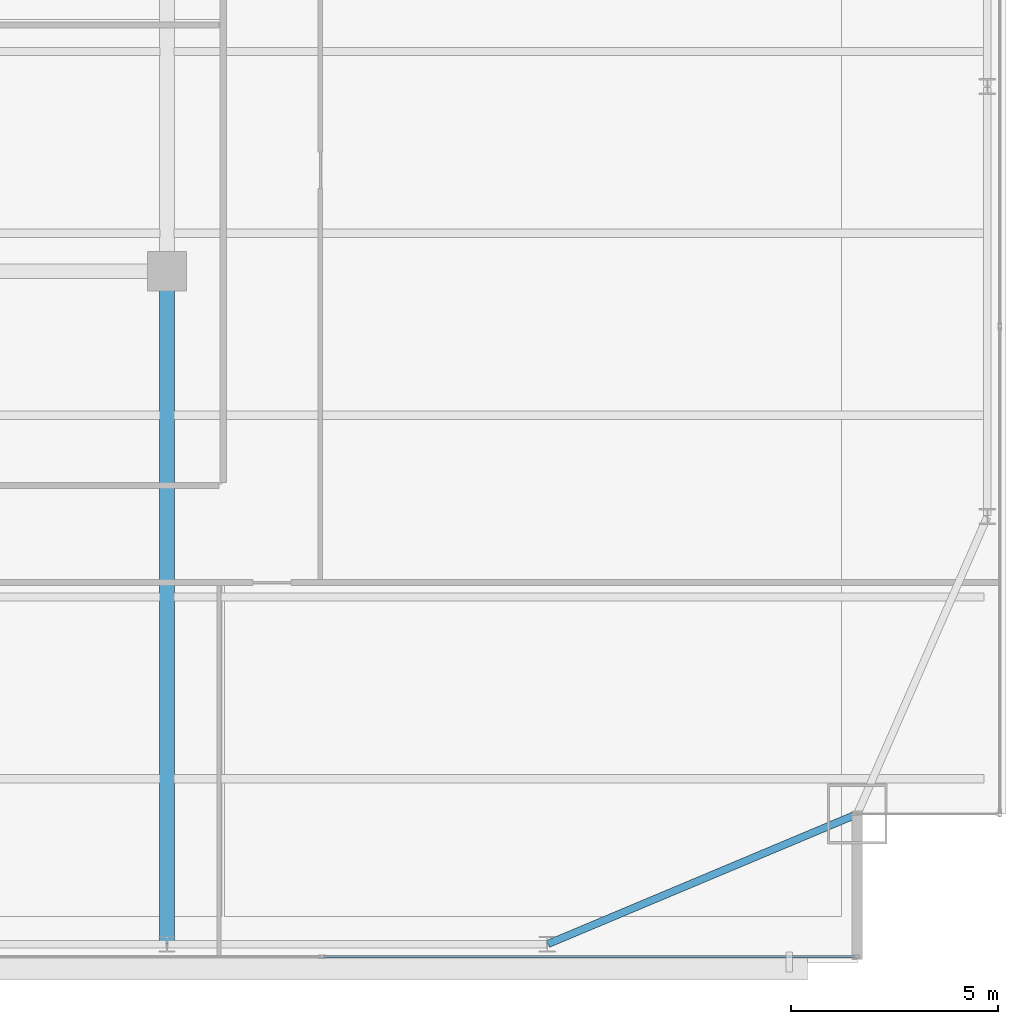
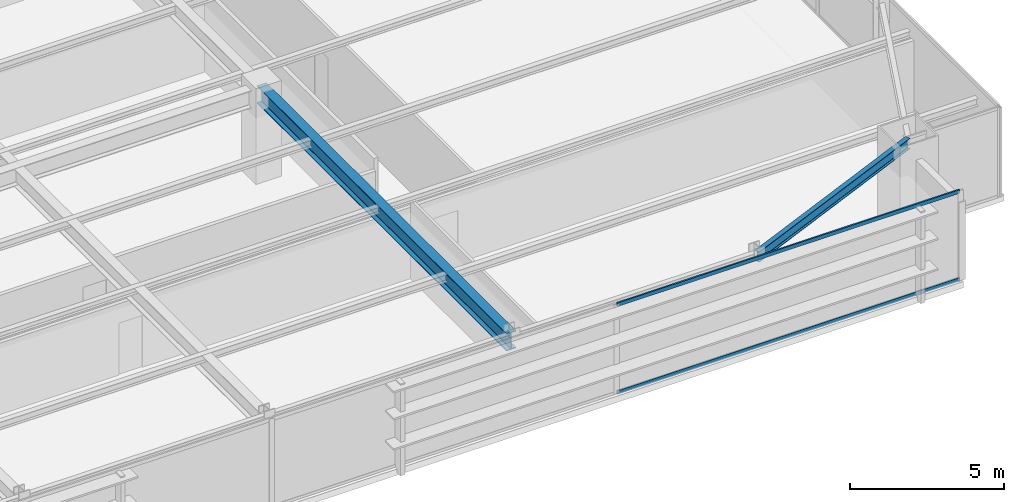
# One storey, part 13 of 30: 2 beams, 2 members, 1 element without a shape of its own.
"""IFC4 building model written with IfcOpenShell, lengths in metres."""

from ifc_helpers import new_model, si_unit, direction, frame, origin, origin_2d, place, context, subcontext, project, spatial, hollow_rectangle, i_section, extrude, source, transform, mapped, material, layer, layer_set, material_profile, profile_set, type_object, type_shapes, element, aggregate, save


model = new_model("IFC4")

# Units and contexts
model_context = context("Model", 3, precision=1e-05, world=origin(), true_north=direction((0.0, 1.0)))
body_context = subcontext(model_context, "Body", "Model", "MODEL_VIEW")
ifc_project = project(units=[si_unit("LENGTHUNIT", "METRE"), si_unit("AREAUNIT", "SQUARE_METRE"), si_unit("VOLUMEUNIT", "CUBIC_METRE"), si_unit("PLANEANGLEUNIT", "RADIAN"), si_unit("MASSUNIT", "GRAM", prefix="KILO")], contexts=[model_context])

# Site, building, storey
site_placement = place(None, origin())
site = spatial("IfcSite", under=ifc_project, at=site_placement, CompositionType="ELEMENT")
building_placement = place(site_placement, origin())
building = spatial("IfcBuilding", under=site, at=building_placement, Name="Varnel Quay Broadcast Tower", CompositionType="ELEMENT")
storey_placement = place(building_placement, frame((0.0, 0.0, 122.0)))
storey = spatial("IfcBuildingStorey", under=building, at=storey_placement, Name="L29", CompositionType="ELEMENT", Elevation=122.0)

# Beams
ifc_material_1 = material(Name="Structural Steel CSA G40.21 350W", Category="steel")
ifc_material_profile_1 = material_profile(ifc_material_1, i_section(OverallWidth=0.180908203125, OverallDepth=0.4169921875, WebThickness=0.010986328125, FlangeThickness=0.018310546875, FilletRadius=0.011962890625, at=origin_2d()), Name="W410X85")
ifc_profile_set_1 = profile_set([ifc_material_profile_1], Name="Structural Steel CSA G40.21 350W")
beam_type_1 = type_object("IfcBeamType", Name="Beam_W410X85", PredefinedType="SPANDREL", material=ifc_profile_set_1)
shared_shape_1 = source(origin(), body_context, "Body", "SweptSolid", [
    extrude(i_section(OverallWidth=0.180908203125, OverallDepth=0.4169921875, WebThickness=0.010986328125, FlangeThickness=0.018310546875, FilletRadius=0.011962890625, at=origin_2d()), origin(), (0.0, 0.0, 1.0), 8.0947265625),
])
type_shapes(beam_type_1, [shared_shape_1])
beam_1_placement = place(storey_placement, frame((52.41845703125, 4.65771484375, 3.341552734375), z_axis=(0.921981890247, 0.387232997117, 0.0), x_axis=(-0.387232997117, 0.921981890247, 0.0)))
element("IfcBeam", 1, at=beam_1_placement, inside=storey, type_object=beam_type_1, Name="L29 South Spandrel TC-S5-MC-SE", PredefinedType="SPANDREL", context=body_context, shape_type="MappedRepresentation", body=[
    mapped(shared_shape_1, transform((0.0, 0.0, 0.0), x_axis=(1.0, 0.0, 0.0), y_axis=(0.0, 1.0, 0.0), z_axis=(0.0, 0.0, 1.0), scale=1.0)),
])
ifc_material_profile_2 = material_profile(ifc_material_1, i_section(OverallWidth=0.35498046875, OverallDepth=0.695068359375, WebThickness=0.015380859375, FlangeThickness=0.02490234375, FilletRadius=0.01806640625, at=origin_2d()), Name="W690X217")
ifc_profile_set_2 = profile_set([ifc_material_profile_2], Name="Structural Steel CSA G40.21 350W")
beam_type_2 = type_object("IfcBeamType", Name="Girder_W690X217", PredefinedType="BEAM", material=ifc_profile_set_2)
shared_shape_2 = source(origin(), body_context, "Body", "SweptSolid", [
    extrude(i_section(OverallWidth=0.35498046875, OverallDepth=0.695068359375, WebThickness=0.015380859375, FlangeThickness=0.02490234375, FilletRadius=0.01806640625, at=origin_2d()), origin(), (0.0, 0.0, 1.0), 16.239990234375),
])
type_shapes(beam_type_2, [shared_shape_2])
beam_2_placement = place(storey_placement, frame((43.199951171875, 4.669921875, 3.202392578125), z_axis=(0.0, 1.0, 0.0), x_axis=(-1.0, 0.0, 0.0)))
element("IfcBeam", 2, at=beam_2_placement, inside=storey, type_object=beam_type_2, Name="L29 Primary Girder TC-S4-IC-02", PredefinedType="BEAM", context=body_context, shape_type="MappedRepresentation", body=[
    mapped(shared_shape_2, transform((0.0, 0.0, 0.0), x_axis=(1.0, 0.0, 0.0), y_axis=(0.0, 1.0, 0.0), z_axis=(0.0, 0.0, 1.0), scale=1.0)),
])

# Curtain wall, members
ifc_material_2 = material(Name="Anodised Bronze Aluminium 6063-T6", Category="aluminium")
ifc_layer = layer(ifc_material_2, 0.18994140625, Name="Anodised Bronze Aluminium 6063-T6")
ifc_layer_set = layer_set([ifc_layer], Name="Anodised Bronze Aluminium 6063-T6")
curtain_wall_type = type_object("IfcCurtainWallType", Name="CW_LowerTower", PredefinedType="NOTDEFINED", material=ifc_layer_set)
curtain_wall_placement = place(storey_placement, origin())
curtain_wall = element("IfcCurtainWall", 3, at=curtain_wall_placement, inside=storey, type_object=curtain_wall_type, Name="L29 South Unitised Curtain Wall 1", PredefinedType="NOTDEFINED")
ifc_material_profile_3 = material_profile(ifc_material_2, hollow_rectangle(XDim=0.06005859375, YDim=0.14501953125, WallThickness=0.00341796875, at=origin_2d()), Name="ALU60X145X3.5")
ifc_profile_set_3 = profile_set([ifc_material_profile_3], Name="Anodised Bronze Aluminium 6063-T6")
member_type = type_object("IfcMemberType", Name="Tran_CWS-02", PredefinedType="USERDEFINED", material=ifc_profile_set_3)
shared_shape_3 = source(origin(), body_context, "Body", "SweptSolid", [
    extrude(hollow_rectangle(XDim=0.06005859375, YDim=0.14501953125, WallThickness=0.00341796875, at=origin_2d()), origin(), (0.0, 0.0, 1.0), 12.844970703125),
])
type_shapes(member_type, [shared_shape_3])
member_1_placement = place(storey_placement, frame((46.985107421875, 4.35009765625, 0.030029296875), z_axis=(1.0, 0.0, 0.0), x_axis=(0.0, 1.0, 0.0)))
member_1 = element("IfcMember", 4, at=member_1_placement, type_object=member_type, Name="CWS-02 transom 4.1", ObjectType="TRANSOM", PredefinedType="USERDEFINED", context=body_context, shape_type="MappedRepresentation", body=[
    mapped(shared_shape_3, transform((0.0, 0.0, 0.0), x_axis=(1.0, 0.0, 0.0), y_axis=(0.0, 1.0, 0.0), z_axis=(0.0, 0.0, 1.0), scale=1.0)),
])
member_2_placement = place(storey_placement, frame((46.985107421875, 4.35009765625, 3.52001953125), z_axis=(1.0, 0.0, 0.0), x_axis=(0.0, 1.0, 0.0)))
member_2 = element("IfcMember", 5, at=member_2_placement, type_object=member_type, Name="CWS-02 transom 4.2", ObjectType="TRANSOM", PredefinedType="USERDEFINED", context=body_context, shape_type="MappedRepresentation", body=[
    mapped(shared_shape_3, transform((0.0, 0.0, 0.0), x_axis=(1.0, 0.0, 0.0), y_axis=(0.0, 1.0, 0.0), z_axis=(0.0, 0.0, 1.0), scale=1.0)),
])
aggregate(curtain_wall, [member_1, member_2])

save(model, "model.ifc")
